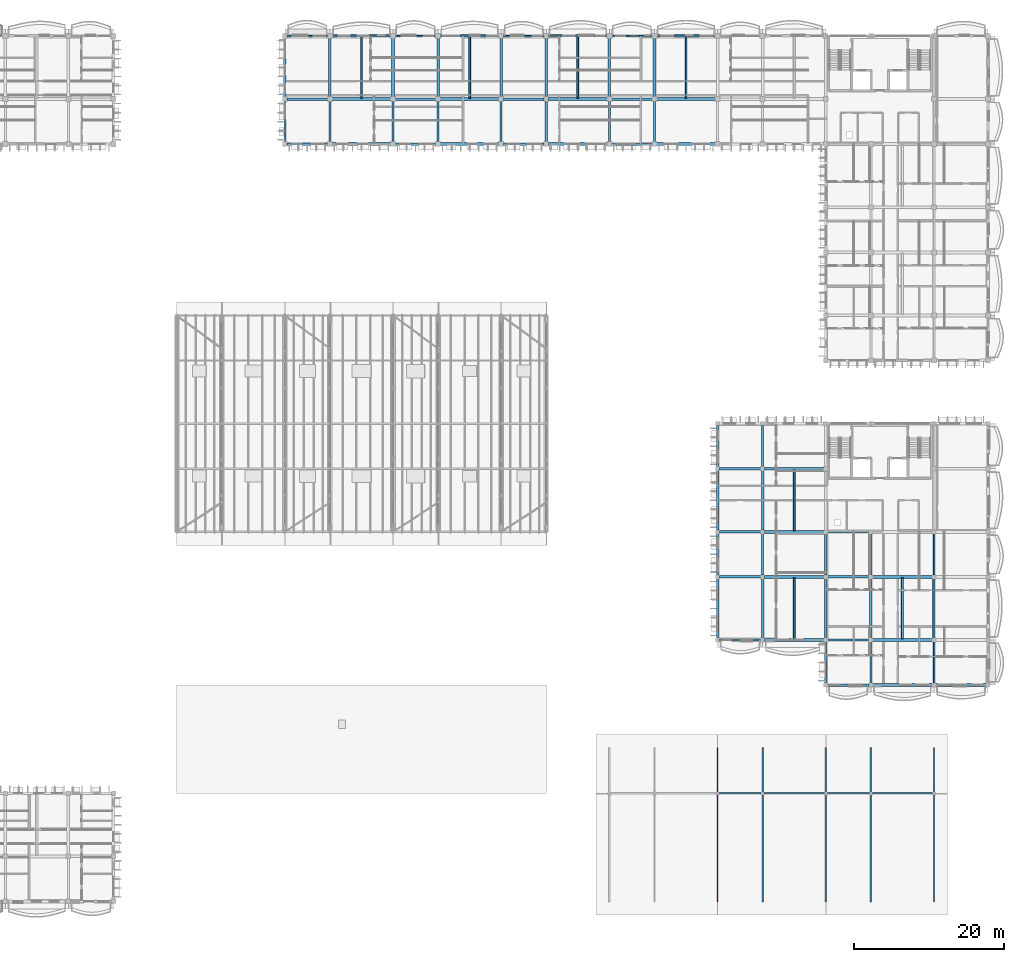
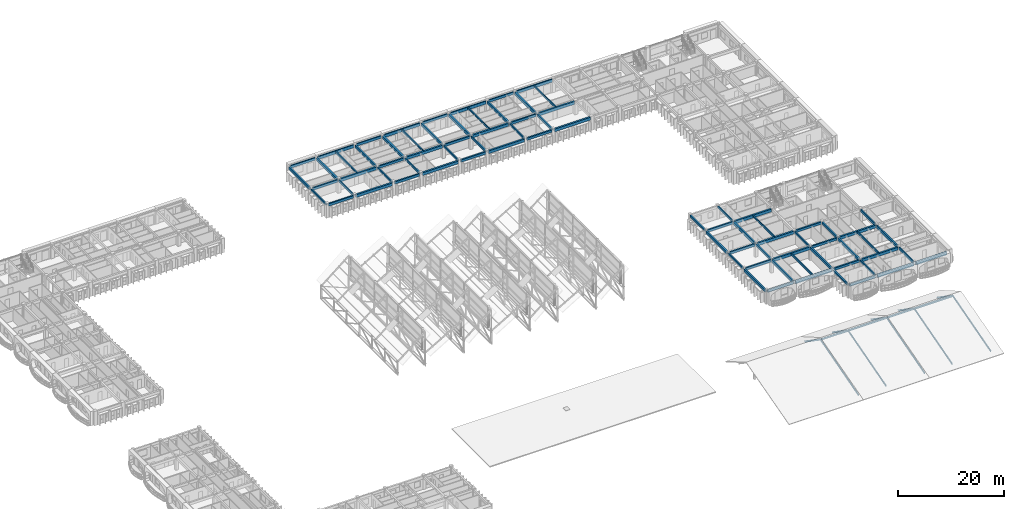
# One storey, part 27 of 101: 94 beams.
"""IFC4 building model written with IfcOpenShell, lengths in metres."""

from ifc_helpers import new_model, si_unit, direction, frame, origin, origin_2d, place, context, subcontext, project, spatial, rectangle, i_section, extrude, material, material_profile, profile_set, type_object, element, save


model = new_model("IFC4")

# Units and contexts
model_context = context("Model", 3, precision=1e-05, world=origin(), true_north=direction((0.0, 1.0)))
body_context = subcontext(model_context, "Body", "Model", "MODEL_VIEW")
ifc_project = project(units=[si_unit("LENGTHUNIT", "METRE"), si_unit("AREAUNIT", "SQUARE_METRE"), si_unit("VOLUMEUNIT", "CUBIC_METRE"), si_unit("PLANEANGLEUNIT", "RADIAN"), si_unit("MASSUNIT", "GRAM", prefix="KILO"), si_unit("THERMODYNAMICTEMPERATUREUNIT", "KELVIN")], contexts=[model_context])

# Site, building, storey
site_placement = place(None, origin())
site = spatial("IfcSite", under=ifc_project, at=site_placement, CompositionType="ELEMENT")
building_placement = place(site_placement, origin())
building = spatial("IfcBuilding", under=site, at=building_placement, Name="Thalorik Housing Commons", CompositionType="ELEMENT")
storey_placement = place(building_placement, frame((0.0, 0.0, 8.10009765625)))
storey = spatial("IfcBuildingStorey", under=building, at=storey_placement, Name="L02", CompositionType="ELEMENT", Elevation=8.10009765625)

# Beams
ifc_material_1 = material(Name="Precast concrete C40/50", Category="concrete")
ifc_material_profile_1 = material_profile(ifc_material_1, rectangle(XDim=0.280029296875, YDim=0.449951171875, at=origin_2d()), Name="PC 280x450", Category="concrete")
ifc_profile_set_1 = profile_set([ifc_material_profile_1], Name="Precast concrete C40/50")
beam_type_1 = type_object("IfcBeamType", Name="STR-BM-PC280x450", PredefinedType="BEAM", material=ifc_profile_set_1)
for number, where, z_axis, x_axis, name in (
    (1, (80.39990234375, 109.47509765625, 2.81494140625), (0.0, 1.0, 0.0), (-1.0, 0.0, 0.0), "L02 Beam B-450"),
    (2, (86.39990234375, 109.47509765625, 2.81494140625), (0.0, 1.0, 0.0), (-1.0, 0.0, 0.0), "L02 Beam B-450"),
    (3, (94.800048828125, 109.47509765625, 2.81494140625), (0.0, 1.0, 0.0), (-1.0, 0.0, 0.0), "L02 Beam B-450"),
    (4, (100.800048828125, 109.47509765625, 2.81494140625), (0.0, 1.0, 0.0), (-1.0, 0.0, 0.0), "L02 Beam B-450"),
    (5, (109.199951171875, 109.47509765625, 2.81494140625), (0.0, 1.0, 0.0), (-1.0, 0.0, 0.0), "L02 Beam B-450"),
    (6, (115.199951171875, 109.47509765625, 2.81494140625), (0.0, 1.0, 0.0), (-1.0, 0.0, 0.0), "L02 Beam B-450"),
    (7, (123.60009765625, 109.47509765625, 2.81494140625), (0.0, 1.0, 0.0), (-1.0, 0.0, 0.0), "L02 Beam B-450"),
    (8, (129.60009765625, 109.47509765625, 2.81494140625), (0.0, 1.0, 0.0), (-1.0, 0.0, 0.0), "L02 Beam B-450"),
):
    element("IfcBeam", number, at=place(storey_placement, frame(where, z_axis=z_axis, x_axis=x_axis)), inside=storey, type_object=beam_type_1, Name=name, PredefinedType="BEAM", context=body_context, shape_type="SweptSolid", body=[
        extrude(rectangle(XDim=0.280029296875, YDim=0.449951171875, at=origin_2d()), origin(), (0.0, 0.0, 1.0), 5.449951171875),
    ])
beam_1_placement = place(storey_placement, frame((138.0, 51.824951171875, 2.81494140625), z_axis=(0.0, 1.0, 0.0), x_axis=(-1.0, 0.0, 0.0)))
element("IfcBeam", 9, at=beam_1_placement, inside=storey, type_object=beam_type_1, Name="L02 Beam B-450", PredefinedType="BEAM", context=body_context, shape_type="SweptSolid", body=[
    extrude(rectangle(XDim=0.280029296875, YDim=0.449951171875, at=origin_2d()), origin(), (0.0, 0.0, 1.0), 5.550048828125),
])
beam_2_placement = place(storey_placement, frame((138.0, 66.22509765625, 2.81494140625), z_axis=(0.0, 1.0, 0.0), x_axis=(-1.0, 0.0, 0.0)))
element("IfcBeam", 10, at=beam_2_placement, inside=storey, type_object=beam_type_1, Name="L02 Beam B-450", PredefinedType="BEAM", context=body_context, shape_type="SweptSolid", body=[
    extrude(rectangle(XDim=0.280029296875, YDim=0.449951171875, at=origin_2d()), origin(), (0.0, 0.0, 1.0), 5.5498046875),
])
beam_3_placement = place(storey_placement, frame((144.0, 51.824951171875, 2.81494140625), z_axis=(0.0, 1.0, 0.0), x_axis=(-1.0, 0.0, 0.0)))
element("IfcBeam", 11, at=beam_3_placement, inside=storey, type_object=beam_type_1, Name="L02 Beam B-450", PredefinedType="BEAM", context=body_context, shape_type="SweptSolid", body=[
    extrude(rectangle(XDim=0.280029296875, YDim=0.449951171875, at=origin_2d()), origin(), (0.0, 0.0, 1.0), 5.550048828125),
])
beam_4_placement = place(storey_placement, frame((144.0, 66.22509765625, 2.81494140625), z_axis=(0.0, 1.0, 0.0), x_axis=(-1.0, 0.0, 0.0)))
element("IfcBeam", 12, at=beam_4_placement, inside=storey, type_object=beam_type_1, Name="L02 Beam B-450", PredefinedType="BEAM", context=body_context, shape_type="SweptSolid", body=[
    extrude(rectangle(XDim=0.280029296875, YDim=0.449951171875, at=origin_2d()), origin(), (0.0, 0.0, 1.0), 5.5498046875),
])
for number, where, z_axis, x_axis, name in (
    (13, (152.39990234375, 37.425048828125, 2.81494140625), (0.0, 1.0, 0.0), (-1.0, 0.0, 0.0), "L02 Beam B-450"),
    (14, (152.39990234375, 51.824951171875, 2.81494140625), (0.0, 1.0, 0.0), (-1.0, 0.0, 0.0), "L02 Beam B-450"),
    (15, (158.39990234375, 37.425048828125, 2.81494140625), (0.0, 1.0, 0.0), (-1.0, 0.0, 0.0), "L02 Beam B-450"),
    (16, (158.39990234375, 51.824951171875, 2.81494140625), (0.0, 1.0, 0.0), (-1.0, 0.0, 0.0), "L02 Beam B-450"),
):
    element("IfcBeam", number, at=place(storey_placement, frame(where, z_axis=z_axis, x_axis=x_axis)), inside=storey, type_object=beam_type_1, Name=name, PredefinedType="BEAM", context=body_context, shape_type="SweptSolid", body=[
        extrude(rectangle(XDim=0.280029296875, YDim=0.449951171875, at=origin_2d()), origin(), (0.0, 0.0, 1.0), 5.550048828125),
    ])
ifc_material_profile_2 = material_profile(ifc_material_1, rectangle(XDim=0.320068359375, YDim=0.550048828125, at=origin_2d()), Name="PC 320x550", Category="concrete")
ifc_profile_set_2 = profile_set([ifc_material_profile_2], Name="Precast concrete C40/50")
beam_type_2 = type_object("IfcBeamType", Name="STR-BM-PC320x550", PredefinedType="BEAM", material=ifc_profile_set_2)
beam_5_placement = place(storey_placement, frame((152.625, 37.199951171875, 2.764892578125), z_axis=(1.0, 0.0, 0.0), x_axis=(0.0, 1.0, 0.0)))
element("IfcBeam", 17, at=beam_5_placement, inside=storey, type_object=beam_type_2, Name="L02 Beam B-550", PredefinedType="BEAM", context=body_context, shape_type="SweptSolid", body=[
    extrude(rectangle(XDim=0.320068359375, YDim=0.550048828125, at=origin_2d()), origin(), (0.0, 0.0, 1.0), 5.550048828125),
])
beam_6_placement = place(storey_placement, frame((138.22509765625, 43.199951171875, 2.764892578125), z_axis=(1.0, 0.0, 0.0), x_axis=(0.0, 1.0, 0.0)))
element("IfcBeam", 18, at=beam_6_placement, inside=storey, type_object=beam_type_2, Name="L02 Beam B-550", PredefinedType="BEAM", context=body_context, shape_type="SweptSolid", body=[
    extrude(rectangle(XDim=0.320068359375, YDim=0.550048828125, at=origin_2d()), origin(), (0.0, 0.0, 1.0), 5.5498046875),
])
beam_7_placement = place(storey_placement, frame((152.625, 43.199951171875, 2.764892578125), z_axis=(1.0, 0.0, 0.0), x_axis=(0.0, 1.0, 0.0)))
element("IfcBeam", 19, at=beam_7_placement, inside=storey, type_object=beam_type_2, Name="L02 Beam B-550", PredefinedType="BEAM", context=body_context, shape_type="SweptSolid", body=[
    extrude(rectangle(XDim=0.320068359375, YDim=0.550048828125, at=origin_2d()), origin(), (0.0, 0.0, 1.0), 5.550048828125),
])
beam_8_placement = place(storey_placement, frame((138.22509765625, 51.60009765625, 2.764892578125), z_axis=(1.0, 0.0, 0.0), x_axis=(0.0, 1.0, 0.0)))
element("IfcBeam", 20, at=beam_8_placement, inside=storey, type_object=beam_type_2, Name="L02 Beam B-550", PredefinedType="BEAM", context=body_context, shape_type="SweptSolid", body=[
    extrude(rectangle(XDim=0.320068359375, YDim=0.550048828125, at=origin_2d()), origin(), (0.0, 0.0, 1.0), 5.5498046875),
])
beam_9_placement = place(storey_placement, frame((152.625, 51.60009765625, 2.764892578125), z_axis=(1.0, 0.0, 0.0), x_axis=(0.0, 1.0, 0.0)))
element("IfcBeam", 21, at=beam_9_placement, inside=storey, type_object=beam_type_2, Name="L02 Beam B-550", PredefinedType="BEAM", context=body_context, shape_type="SweptSolid", body=[
    extrude(rectangle(XDim=0.320068359375, YDim=0.550048828125, at=origin_2d()), origin(), (0.0, 0.0, 1.0), 5.550048828125),
])
beam_10_placement = place(storey_placement, frame((138.22509765625, 57.60009765625, 2.764892578125), z_axis=(1.0, 0.0, 0.0), x_axis=(0.0, 1.0, 0.0)))
element("IfcBeam", 22, at=beam_10_placement, inside=storey, type_object=beam_type_2, Name="L02 Beam B-550", PredefinedType="BEAM", context=body_context, shape_type="SweptSolid", body=[
    extrude(rectangle(XDim=0.320068359375, YDim=0.550048828125, at=origin_2d()), origin(), (0.0, 0.0, 1.0), 5.5498046875),
])
beam_11_placement = place(storey_placement, frame((152.625, 57.60009765625, 2.764892578125), z_axis=(1.0, 0.0, 0.0), x_axis=(0.0, 1.0, 0.0)))
element("IfcBeam", 23, at=beam_11_placement, inside=storey, type_object=beam_type_2, Name="L02 Beam B-550", PredefinedType="BEAM", context=body_context, shape_type="SweptSolid", body=[
    extrude(rectangle(XDim=0.320068359375, YDim=0.550048828125, at=origin_2d()), origin(), (0.0, 0.0, 1.0), 5.550048828125),
])
beam_12_placement = place(storey_placement, frame((138.22509765625, 66.0, 2.764892578125), z_axis=(1.0, 0.0, 0.0), x_axis=(0.0, 1.0, 0.0)))
element("IfcBeam", 24, at=beam_12_placement, inside=storey, type_object=beam_type_2, Name="L02 Beam B-550", PredefinedType="BEAM", context=body_context, shape_type="SweptSolid", body=[
    extrude(rectangle(XDim=0.320068359375, YDim=0.550048828125, at=origin_2d()), origin(), (0.0, 0.0, 1.0), 5.5498046875),
])
for number, where, z_axis, x_axis, name in (
    (25, (80.675048828125, 109.199951171875, 2.764892578125), (1.0, 0.0, 0.0), (0.0, 1.0, 0.0), "L02 Beam B-550"),
    (26, (95.074951171875, 109.199951171875, 2.764892578125), (1.0, 0.0, 0.0), (0.0, 1.0, 0.0), "L02 Beam B-550"),
    (27, (109.47509765625, 109.199951171875, 2.764892578125), (1.0, 0.0, 0.0), (0.0, 1.0, 0.0), "L02 Beam B-550"),
    (28, (123.875, 109.199951171875, 2.764892578125), (1.0, 0.0, 0.0), (0.0, 1.0, 0.0), "L02 Beam B-550"),
    (29, (80.675048828125, 115.199951171875, 2.764892578125), (1.0, 0.0, 0.0), (0.0, 1.0, 0.0), "L02 Beam B-550"),
    (30, (95.074951171875, 115.199951171875, 2.764892578125), (1.0, 0.0, 0.0), (0.0, 1.0, 0.0), "L02 Beam B-550"),
    (31, (109.47509765625, 115.199951171875, 2.764892578125), (1.0, 0.0, 0.0), (0.0, 1.0, 0.0), "L02 Beam B-550"),
    (32, (123.875, 115.199951171875, 2.764892578125), (1.0, 0.0, 0.0), (0.0, 1.0, 0.0), "L02 Beam B-550"),
):
    element("IfcBeam", number, at=place(storey_placement, frame(where, z_axis=z_axis, x_axis=x_axis)), inside=storey, type_object=beam_type_2, Name=name, PredefinedType="BEAM", context=body_context, shape_type="SweptSolid", body=[
        extrude(rectangle(XDim=0.320068359375, YDim=0.550048828125, at=origin_2d()), origin(), (0.0, 0.0, 1.0), 5.449951171875),
    ])
ifc_material_profile_3 = material_profile(ifc_material_1, rectangle(XDim=0.35009765625, YDim=0.60009765625, at=origin_2d()), Name="PC 350x600", Category="concrete")
ifc_profile_set_3 = profile_set([ifc_material_profile_3], Name="Precast concrete C40/50")
beam_type_3 = type_object("IfcBeamType", Name="STR-BM-PC350x600", PredefinedType="BEAM", material=ifc_profile_set_3)
for number, where, z_axis, x_axis, name in (
    (33, (80.39990234375, 115.47509765625, 2.739990234375), (0.0, 1.0, 0.0), (-1.0, 0.0, 0.0), "L02 Beam B-600"),
    (34, (86.39990234375, 115.47509765625, 2.739990234375), (0.0, 1.0, 0.0), (-1.0, 0.0, 0.0), "L02 Beam B-600"),
    (35, (94.800048828125, 115.47509765625, 2.739990234375), (0.0, 1.0, 0.0), (-1.0, 0.0, 0.0), "L02 Beam B-600"),
    (36, (100.800048828125, 115.47509765625, 2.739990234375), (0.0, 1.0, 0.0), (-1.0, 0.0, 0.0), "L02 Beam B-600"),
    (37, (109.199951171875, 115.47509765625, 2.739990234375), (0.0, 1.0, 0.0), (-1.0, 0.0, 0.0), "L02 Beam B-600"),
    (38, (115.199951171875, 115.47509765625, 2.739990234375), (0.0, 1.0, 0.0), (-1.0, 0.0, 0.0), "L02 Beam B-600"),
    (39, (123.60009765625, 115.47509765625, 2.739990234375), (0.0, 1.0, 0.0), (-1.0, 0.0, 0.0), "L02 Beam B-600"),
    (40, (129.60009765625, 115.47509765625, 2.739990234375), (0.0, 1.0, 0.0), (-1.0, 0.0, 0.0), "L02 Beam B-600"),
):
    element("IfcBeam", number, at=place(storey_placement, frame(where, z_axis=z_axis, x_axis=x_axis)), inside=storey, type_object=beam_type_3, Name=name, PredefinedType="BEAM", context=body_context, shape_type="SweptSolid", body=[
        extrude(rectangle(XDim=0.35009765625, YDim=0.60009765625, at=origin_2d()), origin(), (0.0, 0.0, 1.0), 7.849853515625),
    ])
for number, where, z_axis, x_axis, name in (
    (41, (138.0, 43.425048828125, 2.739990234375), (0.0, 1.0, 0.0), (-1.0, 0.0, 0.0), "L02 Beam B-600"),
    (42, (138.0, 57.824951171875, 2.739990234375), (0.0, 1.0, 0.0), (-1.0, 0.0, 0.0), "L02 Beam B-600"),
    (43, (144.0, 43.425048828125, 2.739990234375), (0.0, 1.0, 0.0), (-1.0, 0.0, 0.0), "L02 Beam B-600"),
    (44, (144.0, 57.824951171875, 2.739990234375), (0.0, 1.0, 0.0), (-1.0, 0.0, 0.0), "L02 Beam B-600"),
    (45, (152.39990234375, 43.425048828125, 2.739990234375), (0.0, 1.0, 0.0), (-1.0, 0.0, 0.0), "L02 Beam B-600"),
    (46, (158.39990234375, 43.425048828125, 2.739990234375), (0.0, 1.0, 0.0), (-1.0, 0.0, 0.0), "L02 Beam B-600"),
):
    element("IfcBeam", number, at=place(storey_placement, frame(where, z_axis=z_axis, x_axis=x_axis)), inside=storey, type_object=beam_type_3, Name=name, PredefinedType="BEAM", context=body_context, shape_type="SweptSolid", body=[
        extrude(rectangle(XDim=0.35009765625, YDim=0.60009765625, at=origin_2d()), origin(), (0.0, 0.0, 1.0), 7.949951171875),
    ])
ifc_material_profile_4 = material_profile(ifc_material_1, rectangle(XDim=0.3798828125, YDim=0.64990234375, at=origin_2d()), Name="PC 380x650", Category="concrete")
ifc_profile_set_4 = profile_set([ifc_material_profile_4], Name="Precast concrete C40/50")
beam_type_4 = type_object("IfcBeamType", Name="STR-BM-PC380x650", PredefinedType="BEAM", material=ifc_profile_set_4)
beam_13_placement = place(storey_placement, frame((158.625, 37.199951171875, 2.71484375), z_axis=(1.0, 0.0, 0.0), x_axis=(0.0, 1.0, 0.0)))
element("IfcBeam", 47, at=beam_13_placement, inside=storey, type_object=beam_type_4, Name="L02 Beam B-650", PredefinedType="BEAM", context=body_context, shape_type="SweptSolid", body=[
    extrude(rectangle(XDim=0.3798828125, YDim=0.64990234375, at=origin_2d()), origin(), (0.0, 0.0, 1.0), 7.949951171875),
])
beam_14_placement = place(storey_placement, frame((167.02490234375, 37.199951171875, 2.71484375), z_axis=(1.0, 0.0, 0.0), x_axis=(0.0, 1.0, 0.0)))
element("IfcBeam", 48, at=beam_14_placement, inside=storey, type_object=beam_type_4, Name="L02 Beam B-650", PredefinedType="BEAM", context=body_context, shape_type="SweptSolid", body=[
    extrude(rectangle(XDim=0.3798828125, YDim=0.64990234375, at=origin_2d()), origin(), (0.0, 0.0, 1.0), 6.75),
])
for number, where, z_axis, x_axis, name in (
    (49, (144.22509765625, 43.199951171875, 2.71484375), (1.0, 0.0, 0.0), (0.0, 1.0, 0.0), "L02 Beam B-650"),
    (50, (158.625, 43.199951171875, 2.71484375), (1.0, 0.0, 0.0), (0.0, 1.0, 0.0), "L02 Beam B-650"),
    (51, (144.22509765625, 51.60009765625, 2.71484375), (1.0, 0.0, 0.0), (0.0, 1.0, 0.0), "L02 Beam B-650"),
    (52, (158.625, 51.60009765625, 2.71484375), (1.0, 0.0, 0.0), (0.0, 1.0, 0.0), "L02 Beam B-650"),
    (53, (144.22509765625, 57.60009765625, 2.71484375), (1.0, 0.0, 0.0), (0.0, 1.0, 0.0), "L02 Beam B-650"),
    (54, (144.22509765625, 66.0, 2.71484375), (1.0, 0.0, 0.0), (0.0, 1.0, 0.0), "L02 Beam B-650"),
):
    element("IfcBeam", number, at=place(storey_placement, frame(where, z_axis=z_axis, x_axis=x_axis)), inside=storey, type_object=beam_type_4, Name=name, PredefinedType="BEAM", context=body_context, shape_type="SweptSolid", body=[
        extrude(rectangle(XDim=0.3798828125, YDim=0.64990234375, at=origin_2d()), origin(), (0.0, 0.0, 1.0), 7.949951171875),
    ])
beam_15_placement = place(storey_placement, frame((86.675048828125, 109.199951171875, 2.71484375), z_axis=(1.0, 0.0, 0.0), x_axis=(0.0, 1.0, 0.0)))
element("IfcBeam", 55, at=beam_15_placement, inside=storey, type_object=beam_type_4, Name="L02 Beam B-650", PredefinedType="BEAM", context=body_context, shape_type="SweptSolid", body=[
    extrude(rectangle(XDim=0.3798828125, YDim=0.64990234375, at=origin_2d()), origin(), (0.0, 0.0, 1.0), 7.849853515625),
])
beam_16_placement = place(storey_placement, frame((101.074951171875, 109.199951171875, 2.71484375), z_axis=(1.0, 0.0, 0.0), x_axis=(0.0, 1.0, 0.0)))
element("IfcBeam", 56, at=beam_16_placement, inside=storey, type_object=beam_type_4, Name="L02 Beam B-650", PredefinedType="BEAM", context=body_context, shape_type="SweptSolid", body=[
    extrude(rectangle(XDim=0.3798828125, YDim=0.64990234375, at=origin_2d()), origin(), (0.0, 0.0, 1.0), 7.85009765625),
])
beam_17_placement = place(storey_placement, frame((115.47509765625, 109.199951171875, 2.71484375), z_axis=(1.0, 0.0, 0.0), x_axis=(0.0, 1.0, 0.0)))
element("IfcBeam", 57, at=beam_17_placement, inside=storey, type_object=beam_type_4, Name="L02 Beam B-650", PredefinedType="BEAM", context=body_context, shape_type="SweptSolid", body=[
    extrude(rectangle(XDim=0.3798828125, YDim=0.64990234375, at=origin_2d()), origin(), (0.0, 0.0, 1.0), 7.849853515625),
])
beam_18_placement = place(storey_placement, frame((129.875, 109.199951171875, 2.71484375), z_axis=(1.0, 0.0, 0.0), x_axis=(0.0, 1.0, 0.0)))
element("IfcBeam", 58, at=beam_18_placement, inside=storey, type_object=beam_type_4, Name="L02 Beam B-650", PredefinedType="BEAM", context=body_context, shape_type="SweptSolid", body=[
    extrude(rectangle(XDim=0.3798828125, YDim=0.64990234375, at=origin_2d()), origin(), (0.0, 0.0, 1.0), 7.85009765625),
])
beam_19_placement = place(storey_placement, frame((86.675048828125, 115.199951171875, 2.71484375), z_axis=(1.0, 0.0, 0.0), x_axis=(0.0, 1.0, 0.0)))
element("IfcBeam", 59, at=beam_19_placement, inside=storey, type_object=beam_type_4, Name="L02 Beam B-650", PredefinedType="BEAM", context=body_context, shape_type="SweptSolid", body=[
    extrude(rectangle(XDim=0.3798828125, YDim=0.64990234375, at=origin_2d()), origin(), (0.0, 0.0, 1.0), 7.849853515625),
])
beam_20_placement = place(storey_placement, frame((101.074951171875, 115.199951171875, 2.71484375), z_axis=(1.0, 0.0, 0.0), x_axis=(0.0, 1.0, 0.0)))
element("IfcBeam", 60, at=beam_20_placement, inside=storey, type_object=beam_type_4, Name="L02 Beam B-650", PredefinedType="BEAM", context=body_context, shape_type="SweptSolid", body=[
    extrude(rectangle(XDim=0.3798828125, YDim=0.64990234375, at=origin_2d()), origin(), (0.0, 0.0, 1.0), 7.85009765625),
])
beam_21_placement = place(storey_placement, frame((115.47509765625, 115.199951171875, 2.71484375), z_axis=(1.0, 0.0, 0.0), x_axis=(0.0, 1.0, 0.0)))
element("IfcBeam", 61, at=beam_21_placement, inside=storey, type_object=beam_type_4, Name="L02 Beam B-650", PredefinedType="BEAM", context=body_context, shape_type="SweptSolid", body=[
    extrude(rectangle(XDim=0.3798828125, YDim=0.64990234375, at=origin_2d()), origin(), (0.0, 0.0, 1.0), 7.849853515625),
])
beam_22_placement = place(storey_placement, frame((129.875, 115.199951171875, 2.71484375), z_axis=(1.0, 0.0, 0.0), x_axis=(0.0, 1.0, 0.0)))
element("IfcBeam", 62, at=beam_22_placement, inside=storey, type_object=beam_type_4, Name="L02 Beam B-650", PredefinedType="BEAM", context=body_context, shape_type="SweptSolid", body=[
    extrude(rectangle(XDim=0.3798828125, YDim=0.64990234375, at=origin_2d()), origin(), (0.0, 0.0, 1.0), 7.85009765625),
])
ifc_material_2 = material(Name="Steel S355", Category="steel")
ifc_material_profile_5 = material_profile(ifc_material_2, i_section(OverallWidth=0.1708984375, OverallDepth=0.35498046875, WebThickness=0.007080078125, FlangeThickness=0.01171875, FilletRadius=0.010009765625, at=origin_2d()), Name="W360x51", Category="steel")
ifc_profile_set_5 = profile_set([ifc_material_profile_5], Name="Steel S355")
beam_type_5 = type_object("IfcBeamType", Name="STR-BM-W360x51", PredefinedType="BEAM", material=ifc_profile_set_5)
beam_23_placement = place(storey_placement, frame((138.0, 8.39990234375, -0.050048828125), z_axis=(0.0, 0.961602654935, 0.274445502826), x_axis=(-1.0, 0.0, 0.0)))
element("IfcBeam", 63, at=beam_23_placement, inside=storey, type_object=beam_type_5, Name="L02 Nursery South Rafter 3", PredefinedType="BEAM", context=body_context, shape_type="SweptSolid", body=[
    extrude(i_section(OverallWidth=0.1708984375, OverallDepth=0.35498046875, WebThickness=0.007080078125, FlangeThickness=0.01171875, FilletRadius=0.010009765625, at=origin_2d()), origin(), (0.0, 0.0, 1.0), 14.97509765625),
])
beam_24_placement = place(storey_placement, frame((138.0, 28.800048828125, -0.050048828125), z_axis=(0.0, -0.825012367604, 0.565114672699), x_axis=(1.0, 0.0, 0.0)))
element("IfcBeam", 64, at=beam_24_placement, inside=storey, type_object=beam_type_5, Name="L02 Nursery North Rafter 3", PredefinedType="BEAM", context=body_context, shape_type="SweptSolid", body=[
    extrude(i_section(OverallWidth=0.1708984375, OverallDepth=0.35498046875, WebThickness=0.007080078125, FlangeThickness=0.01171875, FilletRadius=0.010009765625, at=origin_2d()), origin(), (0.0, 0.0, 1.0), 7.272705078125),
])
beam_25_placement = place(storey_placement, frame((144.0, 8.39990234375, -0.050048828125), z_axis=(0.0, 0.961602654935, 0.274445502826), x_axis=(-1.0, 0.0, 0.0)))
element("IfcBeam", 65, at=beam_25_placement, inside=storey, type_object=beam_type_5, Name="L02 Nursery South Rafter 4", PredefinedType="BEAM", context=body_context, shape_type="SweptSolid", body=[
    extrude(i_section(OverallWidth=0.1708984375, OverallDepth=0.35498046875, WebThickness=0.007080078125, FlangeThickness=0.01171875, FilletRadius=0.010009765625, at=origin_2d()), origin(), (0.0, 0.0, 1.0), 14.97509765625),
])
beam_26_placement = place(storey_placement, frame((144.0, 28.800048828125, -0.050048828125), z_axis=(0.0, -0.825012367604, 0.565114672699), x_axis=(1.0, 0.0, 0.0)))
element("IfcBeam", 66, at=beam_26_placement, inside=storey, type_object=beam_type_5, Name="L02 Nursery North Rafter 4", PredefinedType="BEAM", context=body_context, shape_type="SweptSolid", body=[
    extrude(i_section(OverallWidth=0.1708984375, OverallDepth=0.35498046875, WebThickness=0.007080078125, FlangeThickness=0.01171875, FilletRadius=0.010009765625, at=origin_2d()), origin(), (0.0, 0.0, 1.0), 7.272705078125),
])
beam_27_placement = place(storey_placement, frame((152.39990234375, 8.39990234375, -0.050048828125), z_axis=(0.0, 0.961602654935, 0.274445502826), x_axis=(-1.0, 0.0, 0.0)))
element("IfcBeam", 67, at=beam_27_placement, inside=storey, type_object=beam_type_5, Name="L02 Nursery South Rafter 5", PredefinedType="BEAM", context=body_context, shape_type="SweptSolid", body=[
    extrude(i_section(OverallWidth=0.1708984375, OverallDepth=0.35498046875, WebThickness=0.007080078125, FlangeThickness=0.01171875, FilletRadius=0.010009765625, at=origin_2d()), origin(), (0.0, 0.0, 1.0), 14.97509765625),
])
beam_28_placement = place(storey_placement, frame((152.39990234375, 28.800048828125, -0.050048828125), z_axis=(0.0, -0.825012367604, 0.565114672699), x_axis=(1.0, 0.0, 0.0)))
element("IfcBeam", 68, at=beam_28_placement, inside=storey, type_object=beam_type_5, Name="L02 Nursery North Rafter 5", PredefinedType="BEAM", context=body_context, shape_type="SweptSolid", body=[
    extrude(i_section(OverallWidth=0.1708984375, OverallDepth=0.35498046875, WebThickness=0.007080078125, FlangeThickness=0.01171875, FilletRadius=0.010009765625, at=origin_2d()), origin(), (0.0, 0.0, 1.0), 7.272705078125),
])
beam_29_placement = place(storey_placement, frame((158.39990234375, 8.39990234375, -0.050048828125), z_axis=(0.0, 0.961602654935, 0.274445502826), x_axis=(-1.0, 0.0, 0.0)))
element("IfcBeam", 69, at=beam_29_placement, inside=storey, type_object=beam_type_5, Name="L02 Nursery South Rafter 6", PredefinedType="BEAM", context=body_context, shape_type="SweptSolid", body=[
    extrude(i_section(OverallWidth=0.1708984375, OverallDepth=0.35498046875, WebThickness=0.007080078125, FlangeThickness=0.01171875, FilletRadius=0.010009765625, at=origin_2d()), origin(), (0.0, 0.0, 1.0), 14.97509765625),
])
beam_30_placement = place(storey_placement, frame((158.39990234375, 28.800048828125, -0.050048828125), z_axis=(0.0, -0.825012367604, 0.565114672699), x_axis=(1.0, 0.0, 0.0)))
element("IfcBeam", 70, at=beam_30_placement, inside=storey, type_object=beam_type_5, Name="L02 Nursery North Rafter 6", PredefinedType="BEAM", context=body_context, shape_type="SweptSolid", body=[
    extrude(i_section(OverallWidth=0.1708984375, OverallDepth=0.35498046875, WebThickness=0.007080078125, FlangeThickness=0.01171875, FilletRadius=0.010009765625, at=origin_2d()), origin(), (0.0, 0.0, 1.0), 7.272705078125),
])
beam_31_placement = place(storey_placement, frame((166.800048828125, 8.39990234375, -0.050048828125), z_axis=(0.0, 0.961602654935, 0.274445502826), x_axis=(-1.0, 0.0, 0.0)))
element("IfcBeam", 71, at=beam_31_placement, inside=storey, type_object=beam_type_5, Name="L02 Nursery South Rafter 7", PredefinedType="BEAM", context=body_context, shape_type="SweptSolid", body=[
    extrude(i_section(OverallWidth=0.1708984375, OverallDepth=0.35498046875, WebThickness=0.007080078125, FlangeThickness=0.01171875, FilletRadius=0.010009765625, at=origin_2d()), origin(), (0.0, 0.0, 1.0), 14.97509765625),
])
beam_32_placement = place(storey_placement, frame((166.800048828125, 28.800048828125, -0.050048828125), z_axis=(0.0, -0.825012367604, 0.565114672699), x_axis=(1.0, 0.0, 0.0)))
element("IfcBeam", 72, at=beam_32_placement, inside=storey, type_object=beam_type_5, Name="L02 Nursery North Rafter 7", PredefinedType="BEAM", context=body_context, shape_type="SweptSolid", body=[
    extrude(i_section(OverallWidth=0.1708984375, OverallDepth=0.35498046875, WebThickness=0.007080078125, FlangeThickness=0.01171875, FilletRadius=0.010009765625, at=origin_2d()), origin(), (0.0, 0.0, 1.0), 7.272705078125),
])
ifc_material_profile_6 = material_profile(ifc_material_2, i_section(OverallWidth=0.179931640625, OverallDepth=0.4130859375, WebThickness=0.009765625, FlangeThickness=0.01611328125, FilletRadius=0.010986328125, at=origin_2d()), Name="W410x75", Category="steel")
ifc_profile_set_6 = profile_set([ifc_material_profile_6], Name="Steel S355")
beam_type_6 = type_object("IfcBeamType", Name="STR-BM-W410x75", PredefinedType="BEAM", material=ifc_profile_set_6)
beam_33_placement = place(storey_placement, frame((138.0, 22.800048828125, 4.039794921875), z_axis=(1.0, 0.0, 0.0), x_axis=(0.0, 1.0, 0.0)))
element("IfcBeam", 73, at=beam_33_placement, inside=storey, type_object=beam_type_6, Name="L02 Nursery Ridge Beam 3", PredefinedType="BEAM", context=body_context, shape_type="SweptSolid", body=[
    extrude(i_section(OverallWidth=0.179931640625, OverallDepth=0.4130859375, WebThickness=0.009765625, FlangeThickness=0.01611328125, FilletRadius=0.010986328125, at=origin_2d()), origin(), (0.0, 0.0, 1.0), 6.0),
])
beam_34_placement = place(storey_placement, frame((144.0, 22.800048828125, 4.039794921875), z_axis=(1.0, 0.0, 0.0), x_axis=(0.0, 1.0, 0.0)))
element("IfcBeam", 74, at=beam_34_placement, inside=storey, type_object=beam_type_6, Name="L02 Nursery Ridge Beam 4", PredefinedType="BEAM", context=body_context, shape_type="SweptSolid", body=[
    extrude(i_section(OverallWidth=0.179931640625, OverallDepth=0.4130859375, WebThickness=0.009765625, FlangeThickness=0.01611328125, FilletRadius=0.010986328125, at=origin_2d()), origin(), (0.0, 0.0, 1.0), 8.39990234375),
])
beam_35_placement = place(storey_placement, frame((152.39990234375, 22.800048828125, 4.039794921875), z_axis=(1.0, 0.0, 0.0), x_axis=(0.0, 1.0, 0.0)))
element("IfcBeam", 75, at=beam_35_placement, inside=storey, type_object=beam_type_6, Name="L02 Nursery Ridge Beam 5", PredefinedType="BEAM", context=body_context, shape_type="SweptSolid", body=[
    extrude(i_section(OverallWidth=0.179931640625, OverallDepth=0.4130859375, WebThickness=0.009765625, FlangeThickness=0.01611328125, FilletRadius=0.010986328125, at=origin_2d()), origin(), (0.0, 0.0, 1.0), 6.0),
])
beam_36_placement = place(storey_placement, frame((158.39990234375, 22.800048828125, 4.039794921875), z_axis=(1.0, 0.0, 0.0), x_axis=(0.0, 1.0, 0.0)))
element("IfcBeam", 76, at=beam_36_placement, inside=storey, type_object=beam_type_6, Name="L02 Nursery Ridge Beam 6", PredefinedType="BEAM", context=body_context, shape_type="SweptSolid", body=[
    extrude(i_section(OverallWidth=0.179931640625, OverallDepth=0.4130859375, WebThickness=0.009765625, FlangeThickness=0.01611328125, FilletRadius=0.010986328125, at=origin_2d()), origin(), (0.0, 0.0, 1.0), 8.400146484375),
])
ifc_material_profile_7 = material_profile(ifc_material_1, rectangle(XDim=0.239990234375, YDim=0.43994140625, at=origin_2d()), Name="PC JST 240x440", Category="concrete")
ifc_profile_set_7 = profile_set([ifc_material_profile_7], Name="Precast concrete C40/50")
beam_type_7 = type_object("IfcBeamType", Name="STR-JST-PC240x440", PredefinedType="JOIST", material=ifc_profile_set_7)
for number, where, z_axis, x_axis, name in (
    (77, (148.199951171875, 43.340087890625, 2.81982421875), (0.0, 1.0, 0.0), (-1.0, 0.0, 0.0), "L02 Beam J-440"),
    (78, (162.60009765625, 43.340087890625, 2.81982421875), (0.0, 1.0, 0.0), (-1.0, 0.0, 0.0), "L02 Beam J-440"),
):
    element("IfcBeam", number, at=place(storey_placement, frame(where, z_axis=z_axis, x_axis=x_axis)), inside=storey, type_object=beam_type_7, Name=name, PredefinedType="JOIST", context=body_context, shape_type="SweptSolid", body=[
        extrude(rectangle(XDim=0.239990234375, YDim=0.43994140625, at=origin_2d()), origin(), (0.0, 0.0, 1.0), 8.119873046875),
    ])
beam_37_placement = place(storey_placement, frame((148.199951171875, 57.739990234375, 2.81982421875), z_axis=(0.0, 1.0, 0.0), x_axis=(-1.0, 0.0, 0.0)))
element("IfcBeam", 79, at=beam_37_placement, inside=storey, type_object=beam_type_7, Name="L02 Beam J-440", PredefinedType="JOIST", context=body_context, shape_type="SweptSolid", body=[
    extrude(rectangle(XDim=0.239990234375, YDim=0.43994140625, at=origin_2d()), origin(), (0.0, 0.0, 1.0), 8.1201171875),
])
for number, where, z_axis, x_axis, name in (
    (80, (90.60009765625, 115.340087890625, 2.81982421875), (0.0, 1.0, 0.0), (-1.0, 0.0, 0.0), "L02 Beam J-440"),
    (81, (105.0, 115.340087890625, 2.81982421875), (0.0, 1.0, 0.0), (-1.0, 0.0, 0.0), "L02 Beam J-440"),
    (82, (119.39990234375, 115.340087890625, 2.81982421875), (0.0, 1.0, 0.0), (-1.0, 0.0, 0.0), "L02 Beam J-440"),
    (83, (133.800048828125, 115.340087890625, 2.81982421875), (0.0, 1.0, 0.0), (-1.0, 0.0, 0.0), "L02 Beam J-440"),
):
    element("IfcBeam", number, at=place(storey_placement, frame(where, z_axis=z_axis, x_axis=x_axis)), inside=storey, type_object=beam_type_7, Name=name, PredefinedType="JOIST", context=body_context, shape_type="SweptSolid", body=[
        extrude(rectangle(XDim=0.239990234375, YDim=0.43994140625, at=origin_2d()), origin(), (0.0, 0.0, 1.0), 8.119873046875),
    ])
ifc_material_profile_8 = material_profile(ifc_material_1, rectangle(XDim=0.239990234375, YDim=0.580078125, at=origin_2d()), Name="PC SP 240x580", Category="concrete")
ifc_profile_set_8 = profile_set([ifc_material_profile_8], Name="Precast concrete C40/50")
beam_type_8 = type_object("IfcBeamType", Name="STR-SP-PC240x580", PredefinedType="SPANDREL", material=ifc_profile_set_8)
for number, where, z_axis, x_axis, name in (
    (84, (80.675048828125, 123.60009765625, 2.75), (1.0, 0.0, 0.0), (0.0, 1.0, 0.0), "L02 Beam B-550"),
    (85, (95.074951171875, 123.60009765625, 2.75), (1.0, 0.0, 0.0), (0.0, 1.0, 0.0), "L02 Beam B-550"),
    (86, (109.47509765625, 123.60009765625, 2.75), (1.0, 0.0, 0.0), (0.0, 1.0, 0.0), "L02 Beam B-550"),
    (87, (123.875, 123.60009765625, 2.75), (1.0, 0.0, 0.0), (0.0, 1.0, 0.0), "L02 Beam B-550"),
):
    element("IfcBeam", number, at=place(storey_placement, frame(where, z_axis=z_axis, x_axis=x_axis)), inside=storey, type_object=beam_type_8, Name=name, PredefinedType="SPANDREL", context=body_context, shape_type="SweptSolid", body=[
        extrude(rectangle(XDim=0.239990234375, YDim=0.580078125, at=origin_2d()), origin(), (0.0, 0.0, 1.0), 5.449951171875),
    ])
for number, where, z_axis, x_axis, name in (
    (88, (166.800048828125, 37.425048828125, 2.75), (0.0, 1.0, 0.0), (-1.0, 0.0, 0.0), "L02 Beam B-450"),
    (89, (166.800048828125, 51.824951171875, 2.75), (0.0, 1.0, 0.0), (-1.0, 0.0, 0.0), "L02 Beam B-450"),
):
    element("IfcBeam", number, at=place(storey_placement, frame(where, z_axis=z_axis, x_axis=x_axis)), inside=storey, type_object=beam_type_8, Name=name, PredefinedType="SPANDREL", context=body_context, shape_type="SweptSolid", body=[
        extrude(rectangle(XDim=0.239990234375, YDim=0.580078125, at=origin_2d()), origin(), (0.0, 0.0, 1.0), 5.550048828125),
    ])
ifc_material_profile_9 = material_profile(ifc_material_1, rectangle(XDim=0.260009765625, YDim=0.679931640625, at=origin_2d()), Name="PC SP 260x680", Category="concrete")
ifc_profile_set_9 = profile_set([ifc_material_profile_9], Name="Precast concrete C40/50")
beam_type_9 = type_object("IfcBeamType", Name="STR-SP-PC260x680", PredefinedType="SPANDREL", material=ifc_profile_set_9)
beam_38_placement = place(storey_placement, frame((86.675048828125, 123.60009765625, 2.699951171875), z_axis=(1.0, 0.0, 0.0), x_axis=(0.0, 1.0, 0.0)))
element("IfcBeam", 90, at=beam_38_placement, inside=storey, type_object=beam_type_9, Name="L02 Beam B-650", PredefinedType="SPANDREL", context=body_context, shape_type="SweptSolid", body=[
    extrude(rectangle(XDim=0.260009765625, YDim=0.679931640625, at=origin_2d()), origin(), (0.0, 0.0, 1.0), 7.849853515625),
])
beam_39_placement = place(storey_placement, frame((101.074951171875, 123.60009765625, 2.699951171875), z_axis=(1.0, 0.0, 0.0), x_axis=(0.0, 1.0, 0.0)))
element("IfcBeam", 91, at=beam_39_placement, inside=storey, type_object=beam_type_9, Name="L02 Beam B-650", PredefinedType="SPANDREL", context=body_context, shape_type="SweptSolid", body=[
    extrude(rectangle(XDim=0.260009765625, YDim=0.679931640625, at=origin_2d()), origin(), (0.0, 0.0, 1.0), 7.85009765625),
])
beam_40_placement = place(storey_placement, frame((115.47509765625, 123.60009765625, 2.699951171875), z_axis=(1.0, 0.0, 0.0), x_axis=(0.0, 1.0, 0.0)))
element("IfcBeam", 92, at=beam_40_placement, inside=storey, type_object=beam_type_9, Name="L02 Beam B-650", PredefinedType="SPANDREL", context=body_context, shape_type="SweptSolid", body=[
    extrude(rectangle(XDim=0.260009765625, YDim=0.679931640625, at=origin_2d()), origin(), (0.0, 0.0, 1.0), 7.849853515625),
])
beam_41_placement = place(storey_placement, frame((129.875, 123.60009765625, 2.699951171875), z_axis=(1.0, 0.0, 0.0), x_axis=(0.0, 1.0, 0.0)))
element("IfcBeam", 93, at=beam_41_placement, inside=storey, type_object=beam_type_9, Name="L02 Beam B-650", PredefinedType="SPANDREL", context=body_context, shape_type="SweptSolid", body=[
    extrude(rectangle(XDim=0.260009765625, YDim=0.679931640625, at=origin_2d()), origin(), (0.0, 0.0, 1.0), 7.85009765625),
])
beam_42_placement = place(storey_placement, frame((166.800048828125, 43.425048828125, 2.699951171875), z_axis=(0.0, 1.0, 0.0), x_axis=(-1.0, 0.0, 0.0)))
element("IfcBeam", 94, at=beam_42_placement, inside=storey, type_object=beam_type_9, Name="L02 Beam B-600", PredefinedType="SPANDREL", context=body_context, shape_type="SweptSolid", body=[
    extrude(rectangle(XDim=0.260009765625, YDim=0.679931640625, at=origin_2d()), origin(), (0.0, 0.0, 1.0), 7.949951171875),
])

save(model, "model.ifc")
